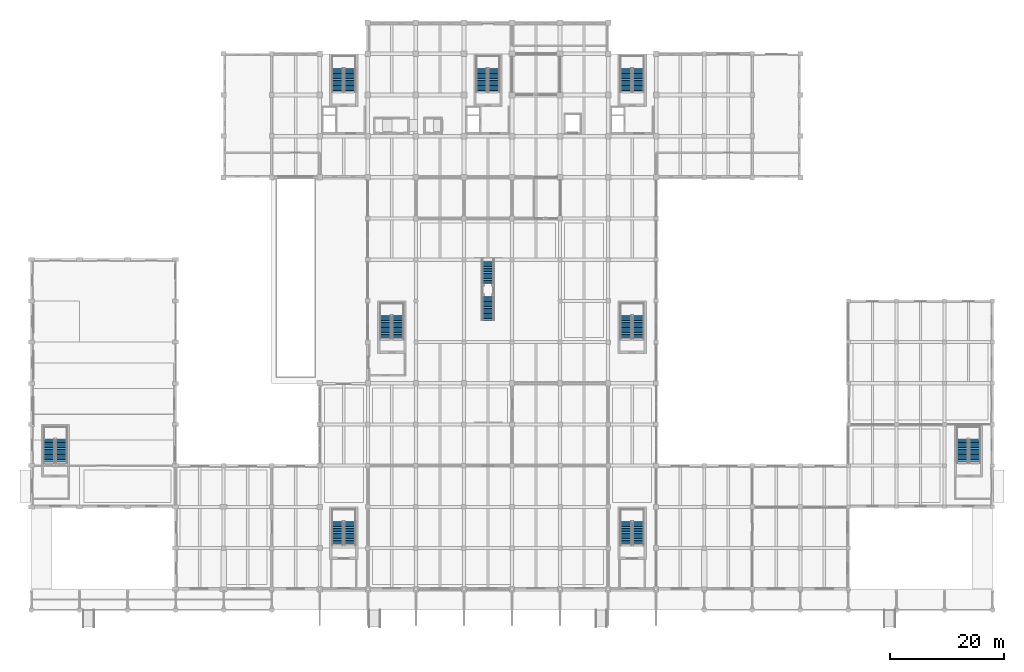
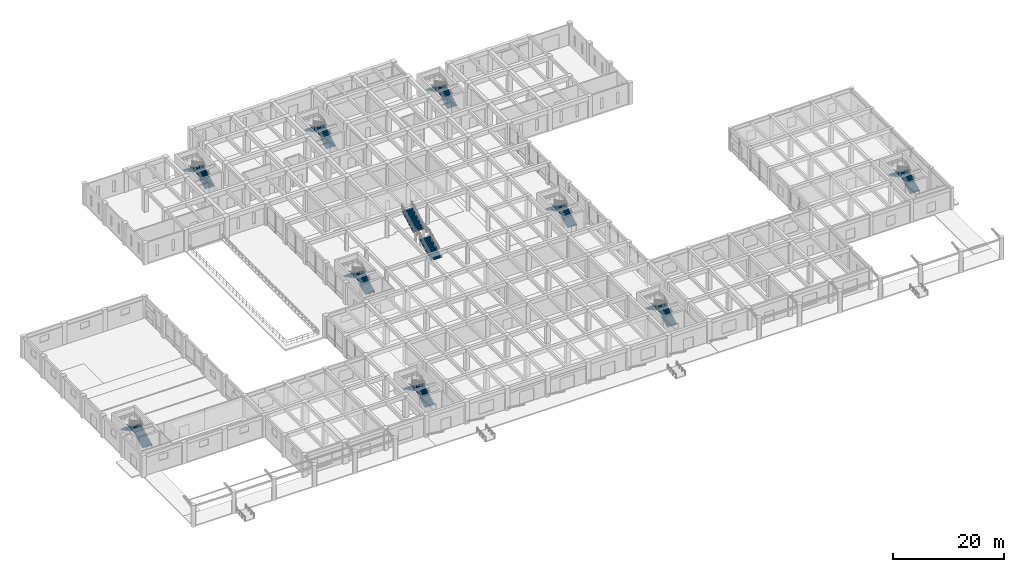
# One storey, part 36 of 49: 20 stair flights, 10 elements without a shape of their own.
"""IFC4 building model written with IfcOpenShell, lengths in metres."""

from ifc_helpers import new_model, si_unit, direction, frame, origin, place, context, subcontext, project, spatial, polyline, outline, extrude, material, type_object, element, aggregate, save


model = new_model("IFC4")

# Units and contexts
model_context = context("Model", 3, precision=1e-05, world=origin(), true_north=direction((0.0, 1.0)))
body_context = subcontext(model_context, "Body", "Model", "MODEL_VIEW")
ifc_project = project(units=[si_unit("LENGTHUNIT", "METRE"), si_unit("AREAUNIT", "SQUARE_METRE"), si_unit("VOLUMEUNIT", "CUBIC_METRE"), si_unit("PLANEANGLEUNIT", "RADIAN"), si_unit("MASSUNIT", "GRAM", prefix="KILO")], contexts=[model_context])

# Site, building, storey
site_placement = place(None, origin())
site = spatial("IfcSite", under=ifc_project, at=site_placement, CompositionType="ELEMENT")
building_placement = place(site_placement, origin())
building = spatial("IfcBuilding", under=site, at=building_placement, Name="Kenerak Square Central Library", CompositionType="ELEMENT")
storey_placement = place(building_placement, origin())
storey = spatial("IfcBuildingStorey", under=building, at=storey_placement, Name="L00", CompositionType="ELEMENT", Elevation=0.0)

# Stair, stair flights
ifc_material_1 = material(Name="Concrete C40/50", Category="concrete")
stair_type_1 = type_object("IfcStairType", Name="Exit Dogleg Stair ST-480 C40/50", PredefinedType="HALF_TURN_STAIR", material=ifc_material_1)
stair_1_placement = place(storey_placement, origin())
stair_1 = element("IfcStair", 1, at=stair_1_placement, inside=storey, type_object=stair_type_1, Name="L00 Protected Exit Stair ST-01", PredefinedType="HALF_TURN_STAIR")
stair_flight_type_1 = type_object("IfcStairFlightType", Name="Exit Stair Flight FL-15 C40/50", PredefinedType="STRAIGHT", material=ifc_material_1)
stair_flight_1_placement = place(storey_placement, frame((63.68994140625, 103.64990234375, 0.0), z_axis=(0.0, 0.0, 1.0), x_axis=(0.0, 1.0, 0.0)))
stair_flight_1 = element("IfcStairFlight", 2, at=stair_flight_1_placement, type_object=stair_flight_type_1, Name="ST-01 Flight 1", NumberOfRisers=15, NumberOfTreads=14, PredefinedType="STRAIGHT", RiserHeight=0.16, TreadLength=0.3, context=body_context, shape_type="SweptSolid", body=[
    extrude(outline(polyline([(0.0, 0.0), (0.0, 0.159912109375), (0.300048828125, 0.159912109375), (0.300048828125, 0.320068359375), (0.60009765625, 0.320068359375), (0.60009765625, 0.47998046875), (0.89990234375, 0.47998046875), (0.89990234375, 0.639892578125), (1.199951171875, 0.639892578125), (1.199951171875, 0.800048828125), (1.5, 0.800048828125), (1.5, 0.9599609375), (1.800048828125, 0.9599609375), (1.800048828125, 1.1201171875), (2.10009765625, 1.1201171875), (2.10009765625, 1.280029296875), (2.39990234375, 1.280029296875), (2.39990234375, 1.43994140625), (2.699951171875, 1.43994140625), (2.699951171875, 1.60009765625), (3.0, 1.60009765625), (3.0, 1.760009765625), (3.300048828125, 1.760009765625), (3.300048828125, 1.919921875), (3.60009765625, 1.919921875), (3.60009765625, 2.080078125), (3.89990234375, 2.080078125), (3.89990234375, 2.239990234375), (4.199951171875, 2.239990234375), (4.199951171875, 2.39990234375), (4.199951171875, 2.0361328125), (0.38232421875, 0.0), (0.0, 0.0)])), frame((0.0, 0.989990234375, 0.0), z_axis=(0.0, -1.0, 0.0), x_axis=(1.0, 0.0, 0.0)), (0.0, 0.0, 1.0), 1.97998046875),
])
stair_flight_2_placement = place(storey_placement, frame((61.510009765625, 107.85009765625, 2.39990234375), z_axis=(0.0, 0.0, 1.0), x_axis=(0.0, -1.0, 0.0)))
stair_flight_2 = element("IfcStairFlight", 3, at=stair_flight_2_placement, type_object=stair_flight_type_1, Name="ST-01 Flight 2", NumberOfRisers=15, NumberOfTreads=14, PredefinedType="STRAIGHT", RiserHeight=0.16, TreadLength=0.3, context=body_context, shape_type="SweptSolid", body=[
    extrude(outline(polyline([(0.0, 0.0), (0.0, 0.159912109375), (0.300048828125, 0.159912109375), (0.300048828125, 0.320068359375), (0.60009765625, 0.320068359375), (0.60009765625, 0.47998046875), (0.89990234375, 0.47998046875), (0.89990234375, 0.639892578125), (1.199951171875, 0.639892578125), (1.199951171875, 0.800048828125), (1.5, 0.800048828125), (1.5, 0.9599609375), (1.800048828125, 0.9599609375), (1.800048828125, 1.1201171875), (2.10009765625, 1.1201171875), (2.10009765625, 1.280029296875), (2.39990234375, 1.280029296875), (2.39990234375, 1.43994140625), (2.699951171875, 1.43994140625), (2.699951171875, 1.60009765625), (3.0, 1.60009765625), (3.0, 1.760009765625), (3.300048828125, 1.760009765625), (3.300048828125, 1.919921875), (3.60009765625, 1.919921875), (3.60009765625, 2.080078125), (3.89990234375, 2.080078125), (3.89990234375, 2.239990234375), (4.199951171875, 2.239990234375), (4.199951171875, 2.39990234375), (4.199951171875, 2.0361328125), (0.38232421875, 0.0), (0.0, 0.0)])), frame((0.0, 0.989990234375, 0.0), z_axis=(0.0, -1.0, 0.0), x_axis=(1.0, 0.0, 0.0)), (0.0, 0.0, 1.0), 1.97998046875),
])
aggregate(stair_1, [stair_flight_1, stair_flight_2])

stair_2_placement = place(storey_placement, origin())
stair_2 = element("IfcStair", 4, at=stair_2_placement, inside=storey, type_object=stair_type_1, Name="L00 Protected Exit Stair ST-02", PredefinedType="HALF_TURN_STAIR")
stair_flight_3_placement = place(storey_placement, frame((88.889892578125, 103.64990234375, 0.0), z_axis=(0.0, 0.0, 1.0), x_axis=(0.0, 1.0, 0.0)))
stair_flight_3 = element("IfcStairFlight", 5, at=stair_flight_3_placement, type_object=stair_flight_type_1, Name="ST-02 Flight 1", NumberOfRisers=15, NumberOfTreads=14, PredefinedType="STRAIGHT", RiserHeight=0.16, TreadLength=0.3, context=body_context, shape_type="SweptSolid", body=[
    extrude(outline(polyline([(0.0, 0.0), (0.0, 0.159912109375), (0.300048828125, 0.159912109375), (0.300048828125, 0.320068359375), (0.60009765625, 0.320068359375), (0.60009765625, 0.47998046875), (0.89990234375, 0.47998046875), (0.89990234375, 0.639892578125), (1.199951171875, 0.639892578125), (1.199951171875, 0.800048828125), (1.5, 0.800048828125), (1.5, 0.9599609375), (1.800048828125, 0.9599609375), (1.800048828125, 1.1201171875), (2.10009765625, 1.1201171875), (2.10009765625, 1.280029296875), (2.39990234375, 1.280029296875), (2.39990234375, 1.43994140625), (2.699951171875, 1.43994140625), (2.699951171875, 1.60009765625), (3.0, 1.60009765625), (3.0, 1.760009765625), (3.300048828125, 1.760009765625), (3.300048828125, 1.919921875), (3.60009765625, 1.919921875), (3.60009765625, 2.080078125), (3.89990234375, 2.080078125), (3.89990234375, 2.239990234375), (4.199951171875, 2.239990234375), (4.199951171875, 2.39990234375), (4.199951171875, 2.0361328125), (0.38232421875, 0.0), (0.0, 0.0)])), frame((0.0, 0.989990234375, 0.0), z_axis=(0.0, -1.0, 0.0), x_axis=(1.0, 0.0, 0.0)), (0.0, 0.0, 1.0), 1.97998046875),
])
stair_flight_4_placement = place(storey_placement, frame((86.7099609375, 107.85009765625, 2.39990234375), z_axis=(0.0, 0.0, 1.0), x_axis=(0.0, -1.0, 0.0)))
stair_flight_4 = element("IfcStairFlight", 6, at=stair_flight_4_placement, type_object=stair_flight_type_1, Name="ST-02 Flight 2", NumberOfRisers=15, NumberOfTreads=14, PredefinedType="STRAIGHT", RiserHeight=0.16, TreadLength=0.3, context=body_context, shape_type="SweptSolid", body=[
    extrude(outline(polyline([(0.0, 0.0), (0.0, 0.159912109375), (0.300048828125, 0.159912109375), (0.300048828125, 0.320068359375), (0.60009765625, 0.320068359375), (0.60009765625, 0.47998046875), (0.89990234375, 0.47998046875), (0.89990234375, 0.639892578125), (1.199951171875, 0.639892578125), (1.199951171875, 0.800048828125), (1.5, 0.800048828125), (1.5, 0.9599609375), (1.800048828125, 0.9599609375), (1.800048828125, 1.1201171875), (2.10009765625, 1.1201171875), (2.10009765625, 1.280029296875), (2.39990234375, 1.280029296875), (2.39990234375, 1.43994140625), (2.699951171875, 1.43994140625), (2.699951171875, 1.60009765625), (3.0, 1.60009765625), (3.0, 1.760009765625), (3.300048828125, 1.760009765625), (3.300048828125, 1.919921875), (3.60009765625, 1.919921875), (3.60009765625, 2.080078125), (3.89990234375, 2.080078125), (3.89990234375, 2.239990234375), (4.199951171875, 2.239990234375), (4.199951171875, 2.39990234375), (4.199951171875, 2.0361328125), (0.38232421875, 0.0), (0.0, 0.0)])), frame((0.0, 0.989990234375, 0.0), z_axis=(0.0, -1.0, 0.0), x_axis=(1.0, 0.0, 0.0)), (0.0, 0.0, 1.0), 1.97998046875),
])
aggregate(stair_2, [stair_flight_3, stair_flight_4])

stair_3_placement = place(storey_placement, origin())
stair_3 = element("IfcStair", 7, at=stair_3_placement, inside=storey, type_object=stair_type_1, Name="L00 Protected Exit Stair ST-03", PredefinedType="HALF_TURN_STAIR")
stair_flight_5_placement = place(storey_placement, frame((114.090087890625, 103.64990234375, 0.0), z_axis=(0.0, 0.0, 1.0), x_axis=(0.0, 1.0, 0.0)))
stair_flight_5 = element("IfcStairFlight", 8, at=stair_flight_5_placement, type_object=stair_flight_type_1, Name="ST-03 Flight 1", NumberOfRisers=15, NumberOfTreads=14, PredefinedType="STRAIGHT", RiserHeight=0.16, TreadLength=0.3, context=body_context, shape_type="SweptSolid", body=[
    extrude(outline(polyline([(0.0, 0.0), (0.0, 0.159912109375), (0.300048828125, 0.159912109375), (0.300048828125, 0.320068359375), (0.60009765625, 0.320068359375), (0.60009765625, 0.47998046875), (0.89990234375, 0.47998046875), (0.89990234375, 0.639892578125), (1.199951171875, 0.639892578125), (1.199951171875, 0.800048828125), (1.5, 0.800048828125), (1.5, 0.9599609375), (1.800048828125, 0.9599609375), (1.800048828125, 1.1201171875), (2.10009765625, 1.1201171875), (2.10009765625, 1.280029296875), (2.39990234375, 1.280029296875), (2.39990234375, 1.43994140625), (2.699951171875, 1.43994140625), (2.699951171875, 1.60009765625), (3.0, 1.60009765625), (3.0, 1.760009765625), (3.300048828125, 1.760009765625), (3.300048828125, 1.919921875), (3.60009765625, 1.919921875), (3.60009765625, 2.080078125), (3.89990234375, 2.080078125), (3.89990234375, 2.239990234375), (4.199951171875, 2.239990234375), (4.199951171875, 2.39990234375), (4.199951171875, 2.0361328125), (0.38232421875, 0.0), (0.0, 0.0)])), frame((0.0, 0.989990234375, 0.0), z_axis=(0.0, -1.0, 0.0), x_axis=(1.0, 0.0, 0.0)), (0.0, 0.0, 1.0), 1.97998046875),
])
stair_flight_6_placement = place(storey_placement, frame((111.909912109375, 107.85009765625, 2.39990234375), z_axis=(0.0, 0.0, 1.0), x_axis=(0.0, -1.0, 0.0)))
stair_flight_6 = element("IfcStairFlight", 9, at=stair_flight_6_placement, type_object=stair_flight_type_1, Name="ST-03 Flight 2", NumberOfRisers=15, NumberOfTreads=14, PredefinedType="STRAIGHT", RiserHeight=0.16, TreadLength=0.3, context=body_context, shape_type="SweptSolid", body=[
    extrude(outline(polyline([(0.0, 0.0), (0.0, 0.159912109375), (0.300048828125, 0.159912109375), (0.300048828125, 0.320068359375), (0.60009765625, 0.320068359375), (0.60009765625, 0.47998046875), (0.89990234375, 0.47998046875), (0.89990234375, 0.639892578125), (1.199951171875, 0.639892578125), (1.199951171875, 0.800048828125), (1.5, 0.800048828125), (1.5, 0.9599609375), (1.800048828125, 0.9599609375), (1.800048828125, 1.1201171875), (2.10009765625, 1.1201171875), (2.10009765625, 1.280029296875), (2.39990234375, 1.280029296875), (2.39990234375, 1.43994140625), (2.699951171875, 1.43994140625), (2.699951171875, 1.60009765625), (3.0, 1.60009765625), (3.0, 1.760009765625), (3.300048828125, 1.760009765625), (3.300048828125, 1.919921875), (3.60009765625, 1.919921875), (3.60009765625, 2.080078125), (3.89990234375, 2.080078125), (3.89990234375, 2.239990234375), (4.199951171875, 2.239990234375), (4.199951171875, 2.39990234375), (4.199951171875, 2.0361328125), (0.38232421875, 0.0), (0.0, 0.0)])), frame((0.0, 0.989990234375, 0.0), z_axis=(0.0, -1.0, 0.0), x_axis=(1.0, 0.0, 0.0)), (0.0, 0.0, 1.0), 1.97998046875),
])
aggregate(stair_3, [stair_flight_5, stair_flight_6])

stair_4_placement = place(storey_placement, origin())
stair_4 = element("IfcStair", 10, at=stair_4_placement, inside=storey, type_object=stair_type_1, Name="L00 Protected Exit Stair ST-04", PredefinedType="HALF_TURN_STAIR")
stair_flight_7_placement = place(storey_placement, frame((63.68994140625, 24.449951171875, 0.0), z_axis=(0.0, 0.0, 1.0), x_axis=(0.0, 1.0, 0.0)))
stair_flight_7 = element("IfcStairFlight", 11, at=stair_flight_7_placement, type_object=stair_flight_type_1, Name="ST-04 Flight 1", NumberOfRisers=15, NumberOfTreads=14, PredefinedType="STRAIGHT", RiserHeight=0.16, TreadLength=0.3, context=body_context, shape_type="SweptSolid", body=[
    extrude(outline(polyline([(0.0, 0.0), (0.0, 0.159912109375), (0.300048828125, 0.159912109375), (0.300048828125, 0.320068359375), (0.60009765625, 0.320068359375), (0.60009765625, 0.47998046875), (0.89990234375, 0.47998046875), (0.89990234375, 0.639892578125), (1.199951171875, 0.639892578125), (1.199951171875, 0.800048828125), (1.5, 0.800048828125), (1.5, 0.9599609375), (1.800048828125, 0.9599609375), (1.800048828125, 1.1201171875), (2.10009765625, 1.1201171875), (2.10009765625, 1.280029296875), (2.39990234375, 1.280029296875), (2.39990234375, 1.43994140625), (2.699951171875, 1.43994140625), (2.699951171875, 1.60009765625), (3.0, 1.60009765625), (3.0, 1.760009765625), (3.300048828125, 1.760009765625), (3.300048828125, 1.919921875), (3.60009765625, 1.919921875), (3.60009765625, 2.080078125), (3.89990234375, 2.080078125), (3.89990234375, 2.239990234375), (4.199951171875, 2.239990234375), (4.199951171875, 2.39990234375), (4.199951171875, 2.0361328125), (0.38232421875, 0.0), (0.0, 0.0)])), frame((0.0, 0.989990234375, 0.0), z_axis=(0.0, -1.0, 0.0), x_axis=(1.0, 0.0, 0.0)), (0.0, 0.0, 1.0), 1.97998046875),
])
stair_flight_8_placement = place(storey_placement, frame((61.510009765625, 28.64990234375, 2.39990234375), z_axis=(0.0, 0.0, 1.0), x_axis=(0.0, -1.0, 0.0)))
stair_flight_8 = element("IfcStairFlight", 12, at=stair_flight_8_placement, type_object=stair_flight_type_1, Name="ST-04 Flight 2", NumberOfRisers=15, NumberOfTreads=14, PredefinedType="STRAIGHT", RiserHeight=0.16, TreadLength=0.3, context=body_context, shape_type="SweptSolid", body=[
    extrude(outline(polyline([(0.0, 0.0), (0.0, 0.159912109375), (0.300048828125, 0.159912109375), (0.300048828125, 0.320068359375), (0.60009765625, 0.320068359375), (0.60009765625, 0.47998046875), (0.89990234375, 0.47998046875), (0.89990234375, 0.639892578125), (1.199951171875, 0.639892578125), (1.199951171875, 0.800048828125), (1.5, 0.800048828125), (1.5, 0.9599609375), (1.800048828125, 0.9599609375), (1.800048828125, 1.1201171875), (2.10009765625, 1.1201171875), (2.10009765625, 1.280029296875), (2.39990234375, 1.280029296875), (2.39990234375, 1.43994140625), (2.699951171875, 1.43994140625), (2.699951171875, 1.60009765625), (3.0, 1.60009765625), (3.0, 1.760009765625), (3.300048828125, 1.760009765625), (3.300048828125, 1.919921875), (3.60009765625, 1.919921875), (3.60009765625, 2.080078125), (3.89990234375, 2.080078125), (3.89990234375, 2.239990234375), (4.199951171875, 2.239990234375), (4.199951171875, 2.39990234375), (4.199951171875, 2.0361328125), (0.38232421875, 0.0), (0.0, 0.0)])), frame((0.0, 0.989990234375, 0.0), z_axis=(0.0, -1.0, 0.0), x_axis=(1.0, 0.0, 0.0)), (0.0, 0.0, 1.0), 1.97998046875),
])
aggregate(stair_4, [stair_flight_7, stair_flight_8])

stair_5_placement = place(storey_placement, origin())
stair_5 = element("IfcStair", 13, at=stair_5_placement, inside=storey, type_object=stair_type_1, Name="L00 Protected Exit Stair ST-05", PredefinedType="HALF_TURN_STAIR")
stair_flight_9_placement = place(storey_placement, frame((114.090087890625, 24.449951171875, 0.0), z_axis=(0.0, 0.0, 1.0), x_axis=(0.0, 1.0, 0.0)))
stair_flight_9 = element("IfcStairFlight", 14, at=stair_flight_9_placement, type_object=stair_flight_type_1, Name="ST-05 Flight 1", NumberOfRisers=15, NumberOfTreads=14, PredefinedType="STRAIGHT", RiserHeight=0.16, TreadLength=0.3, context=body_context, shape_type="SweptSolid", body=[
    extrude(outline(polyline([(0.0, 0.0), (0.0, 0.159912109375), (0.300048828125, 0.159912109375), (0.300048828125, 0.320068359375), (0.60009765625, 0.320068359375), (0.60009765625, 0.47998046875), (0.89990234375, 0.47998046875), (0.89990234375, 0.639892578125), (1.199951171875, 0.639892578125), (1.199951171875, 0.800048828125), (1.5, 0.800048828125), (1.5, 0.9599609375), (1.800048828125, 0.9599609375), (1.800048828125, 1.1201171875), (2.10009765625, 1.1201171875), (2.10009765625, 1.280029296875), (2.39990234375, 1.280029296875), (2.39990234375, 1.43994140625), (2.699951171875, 1.43994140625), (2.699951171875, 1.60009765625), (3.0, 1.60009765625), (3.0, 1.760009765625), (3.300048828125, 1.760009765625), (3.300048828125, 1.919921875), (3.60009765625, 1.919921875), (3.60009765625, 2.080078125), (3.89990234375, 2.080078125), (3.89990234375, 2.239990234375), (4.199951171875, 2.239990234375), (4.199951171875, 2.39990234375), (4.199951171875, 2.0361328125), (0.38232421875, 0.0), (0.0, 0.0)])), frame((0.0, 0.989990234375, 0.0), z_axis=(0.0, -1.0, 0.0), x_axis=(1.0, 0.0, 0.0)), (0.0, 0.0, 1.0), 1.97998046875),
])
stair_flight_10_placement = place(storey_placement, frame((111.909912109375, 28.64990234375, 2.39990234375), z_axis=(0.0, 0.0, 1.0), x_axis=(0.0, -1.0, 0.0)))
stair_flight_10 = element("IfcStairFlight", 15, at=stair_flight_10_placement, type_object=stair_flight_type_1, Name="ST-05 Flight 2", NumberOfRisers=15, NumberOfTreads=14, PredefinedType="STRAIGHT", RiserHeight=0.16, TreadLength=0.3, context=body_context, shape_type="SweptSolid", body=[
    extrude(outline(polyline([(0.0, 0.0), (0.0, 0.159912109375), (0.300048828125, 0.159912109375), (0.300048828125, 0.320068359375), (0.60009765625, 0.320068359375), (0.60009765625, 0.47998046875), (0.89990234375, 0.47998046875), (0.89990234375, 0.639892578125), (1.199951171875, 0.639892578125), (1.199951171875, 0.800048828125), (1.5, 0.800048828125), (1.5, 0.9599609375), (1.800048828125, 0.9599609375), (1.800048828125, 1.1201171875), (2.10009765625, 1.1201171875), (2.10009765625, 1.280029296875), (2.39990234375, 1.280029296875), (2.39990234375, 1.43994140625), (2.699951171875, 1.43994140625), (2.699951171875, 1.60009765625), (3.0, 1.60009765625), (3.0, 1.760009765625), (3.300048828125, 1.760009765625), (3.300048828125, 1.919921875), (3.60009765625, 1.919921875), (3.60009765625, 2.080078125), (3.89990234375, 2.080078125), (3.89990234375, 2.239990234375), (4.199951171875, 2.239990234375), (4.199951171875, 2.39990234375), (4.199951171875, 2.0361328125), (0.38232421875, 0.0), (0.0, 0.0)])), frame((0.0, 0.989990234375, 0.0), z_axis=(0.0, -1.0, 0.0), x_axis=(1.0, 0.0, 0.0)), (0.0, 0.0, 1.0), 1.97998046875),
])
aggregate(stair_5, [stair_flight_9, stair_flight_10])

stair_6_placement = place(storey_placement, origin())
stair_6 = element("IfcStair", 16, at=stair_6_placement, inside=storey, type_object=stair_type_1, Name="L00 Protected Exit Stair ST-06", PredefinedType="HALF_TURN_STAIR")
stair_flight_11_placement = place(storey_placement, frame((13.2900390625, 38.85009765625, 0.0), z_axis=(0.0, 0.0, 1.0), x_axis=(0.0, 1.0, 0.0)))
stair_flight_11 = element("IfcStairFlight", 17, at=stair_flight_11_placement, type_object=stair_flight_type_1, Name="ST-06 Flight 1", NumberOfRisers=15, NumberOfTreads=14, PredefinedType="STRAIGHT", RiserHeight=0.16, TreadLength=0.3, context=body_context, shape_type="SweptSolid", body=[
    extrude(outline(polyline([(0.0, 0.0), (0.0, 0.159912109375), (0.300048828125, 0.159912109375), (0.300048828125, 0.320068359375), (0.60009765625, 0.320068359375), (0.60009765625, 0.47998046875), (0.89990234375, 0.47998046875), (0.89990234375, 0.639892578125), (1.199951171875, 0.639892578125), (1.199951171875, 0.800048828125), (1.5, 0.800048828125), (1.5, 0.9599609375), (1.800048828125, 0.9599609375), (1.800048828125, 1.1201171875), (2.10009765625, 1.1201171875), (2.10009765625, 1.280029296875), (2.39990234375, 1.280029296875), (2.39990234375, 1.43994140625), (2.699951171875, 1.43994140625), (2.699951171875, 1.60009765625), (3.0, 1.60009765625), (3.0, 1.760009765625), (3.300048828125, 1.760009765625), (3.300048828125, 1.919921875), (3.60009765625, 1.919921875), (3.60009765625, 2.080078125), (3.89990234375, 2.080078125), (3.89990234375, 2.239990234375), (4.199951171875, 2.239990234375), (4.199951171875, 2.39990234375), (4.199951171875, 2.0361328125), (0.38232421875, 0.0), (0.0, 0.0)])), frame((0.0, 0.989990234375, 0.0), z_axis=(0.0, -1.0, 0.0), x_axis=(1.0, 0.0, 0.0)), (0.0, 0.0, 1.0), 1.97998046875),
])
stair_flight_12_placement = place(storey_placement, frame((11.110107421875, 43.050048828125, 2.39990234375), z_axis=(0.0, 0.0, 1.0), x_axis=(0.0, -1.0, 0.0)))
stair_flight_12 = element("IfcStairFlight", 18, at=stair_flight_12_placement, type_object=stair_flight_type_1, Name="ST-06 Flight 2", NumberOfRisers=15, NumberOfTreads=14, PredefinedType="STRAIGHT", RiserHeight=0.16, TreadLength=0.3, context=body_context, shape_type="SweptSolid", body=[
    extrude(outline(polyline([(0.0, 0.0), (0.0, 0.159912109375), (0.300048828125, 0.159912109375), (0.300048828125, 0.320068359375), (0.60009765625, 0.320068359375), (0.60009765625, 0.47998046875), (0.89990234375, 0.47998046875), (0.89990234375, 0.639892578125), (1.199951171875, 0.639892578125), (1.199951171875, 0.800048828125), (1.5, 0.800048828125), (1.5, 0.9599609375), (1.800048828125, 0.9599609375), (1.800048828125, 1.1201171875), (2.10009765625, 1.1201171875), (2.10009765625, 1.280029296875), (2.39990234375, 1.280029296875), (2.39990234375, 1.43994140625), (2.699951171875, 1.43994140625), (2.699951171875, 1.60009765625), (3.0, 1.60009765625), (3.0, 1.760009765625), (3.300048828125, 1.760009765625), (3.300048828125, 1.919921875), (3.60009765625, 1.919921875), (3.60009765625, 2.080078125), (3.89990234375, 2.080078125), (3.89990234375, 2.239990234375), (4.199951171875, 2.239990234375), (4.199951171875, 2.39990234375), (4.199951171875, 2.0361328125), (0.38232421875, 0.0), (0.0, 0.0)])), frame((0.0, 0.989990234375, 0.0), z_axis=(0.0, -1.0, 0.0), x_axis=(1.0, 0.0, 0.0)), (0.0, 0.0, 1.0), 1.97998046875),
])
aggregate(stair_6, [stair_flight_11, stair_flight_12])

stair_7_placement = place(storey_placement, origin())
stair_7 = element("IfcStair", 19, at=stair_7_placement, inside=storey, type_object=stair_type_1, Name="L00 Protected Exit Stair ST-07", PredefinedType="HALF_TURN_STAIR")
stair_flight_13_placement = place(storey_placement, frame((172.889892578125, 38.85009765625, 0.0), z_axis=(0.0, 0.0, 1.0), x_axis=(0.0, 1.0, 0.0)))
stair_flight_13 = element("IfcStairFlight", 20, at=stair_flight_13_placement, type_object=stair_flight_type_1, Name="ST-07 Flight 1", NumberOfRisers=15, NumberOfTreads=14, PredefinedType="STRAIGHT", RiserHeight=0.16, TreadLength=0.3, context=body_context, shape_type="SweptSolid", body=[
    extrude(outline(polyline([(0.0, 0.0), (0.0, 0.159912109375), (0.300048828125, 0.159912109375), (0.300048828125, 0.320068359375), (0.60009765625, 0.320068359375), (0.60009765625, 0.47998046875), (0.89990234375, 0.47998046875), (0.89990234375, 0.639892578125), (1.199951171875, 0.639892578125), (1.199951171875, 0.800048828125), (1.5, 0.800048828125), (1.5, 0.9599609375), (1.800048828125, 0.9599609375), (1.800048828125, 1.1201171875), (2.10009765625, 1.1201171875), (2.10009765625, 1.280029296875), (2.39990234375, 1.280029296875), (2.39990234375, 1.43994140625), (2.699951171875, 1.43994140625), (2.699951171875, 1.60009765625), (3.0, 1.60009765625), (3.0, 1.760009765625), (3.300048828125, 1.760009765625), (3.300048828125, 1.919921875), (3.60009765625, 1.919921875), (3.60009765625, 2.080078125), (3.89990234375, 2.080078125), (3.89990234375, 2.239990234375), (4.199951171875, 2.239990234375), (4.199951171875, 2.39990234375), (4.199951171875, 2.0361328125), (0.38232421875, 0.0), (0.0, 0.0)])), frame((0.0, 0.989990234375, 0.0), z_axis=(0.0, -1.0, 0.0), x_axis=(1.0, 0.0, 0.0)), (0.0, 0.0, 1.0), 1.97998046875),
])
stair_flight_14_placement = place(storey_placement, frame((170.7099609375, 43.050048828125, 2.39990234375), z_axis=(0.0, 0.0, 1.0), x_axis=(0.0, -1.0, 0.0)))
stair_flight_14 = element("IfcStairFlight", 21, at=stair_flight_14_placement, type_object=stair_flight_type_1, Name="ST-07 Flight 2", NumberOfRisers=15, NumberOfTreads=14, PredefinedType="STRAIGHT", RiserHeight=0.16, TreadLength=0.3, context=body_context, shape_type="SweptSolid", body=[
    extrude(outline(polyline([(0.0, 0.0), (0.0, 0.159912109375), (0.300048828125, 0.159912109375), (0.300048828125, 0.320068359375), (0.60009765625, 0.320068359375), (0.60009765625, 0.47998046875), (0.89990234375, 0.47998046875), (0.89990234375, 0.639892578125), (1.199951171875, 0.639892578125), (1.199951171875, 0.800048828125), (1.5, 0.800048828125), (1.5, 0.9599609375), (1.800048828125, 0.9599609375), (1.800048828125, 1.1201171875), (2.10009765625, 1.1201171875), (2.10009765625, 1.280029296875), (2.39990234375, 1.280029296875), (2.39990234375, 1.43994140625), (2.699951171875, 1.43994140625), (2.699951171875, 1.60009765625), (3.0, 1.60009765625), (3.0, 1.760009765625), (3.300048828125, 1.760009765625), (3.300048828125, 1.919921875), (3.60009765625, 1.919921875), (3.60009765625, 2.080078125), (3.89990234375, 2.080078125), (3.89990234375, 2.239990234375), (4.199951171875, 2.239990234375), (4.199951171875, 2.39990234375), (4.199951171875, 2.0361328125), (0.38232421875, 0.0), (0.0, 0.0)])), frame((0.0, 0.989990234375, 0.0), z_axis=(0.0, -1.0, 0.0), x_axis=(1.0, 0.0, 0.0)), (0.0, 0.0, 1.0), 1.97998046875),
])
aggregate(stair_7, [stair_flight_13, stair_flight_14])

stair_8_placement = place(storey_placement, origin())
stair_8 = element("IfcStair", 22, at=stair_8_placement, inside=storey, type_object=stair_type_1, Name="L00 Protected Exit Stair ST-08", PredefinedType="HALF_TURN_STAIR")
stair_flight_15_placement = place(storey_placement, frame((72.090087890625, 60.449951171875, 0.0), z_axis=(0.0, 0.0, 1.0), x_axis=(0.0, 1.0, 0.0)))
stair_flight_15 = element("IfcStairFlight", 23, at=stair_flight_15_placement, type_object=stair_flight_type_1, Name="ST-08 Flight 1", NumberOfRisers=15, NumberOfTreads=14, PredefinedType="STRAIGHT", RiserHeight=0.16, TreadLength=0.3, context=body_context, shape_type="SweptSolid", body=[
    extrude(outline(polyline([(0.0, 0.0), (0.0, 0.159912109375), (0.300048828125, 0.159912109375), (0.300048828125, 0.320068359375), (0.60009765625, 0.320068359375), (0.60009765625, 0.47998046875), (0.89990234375, 0.47998046875), (0.89990234375, 0.639892578125), (1.199951171875, 0.639892578125), (1.199951171875, 0.800048828125), (1.5, 0.800048828125), (1.5, 0.9599609375), (1.800048828125, 0.9599609375), (1.800048828125, 1.1201171875), (2.10009765625, 1.1201171875), (2.10009765625, 1.280029296875), (2.39990234375, 1.280029296875), (2.39990234375, 1.43994140625), (2.699951171875, 1.43994140625), (2.699951171875, 1.60009765625), (3.0, 1.60009765625), (3.0, 1.760009765625), (3.300048828125, 1.760009765625), (3.300048828125, 1.919921875), (3.60009765625, 1.919921875), (3.60009765625, 2.080078125), (3.89990234375, 2.080078125), (3.89990234375, 2.239990234375), (4.199951171875, 2.239990234375), (4.199951171875, 2.39990234375), (4.199951171875, 2.0361328125), (0.38232421875, 0.0), (0.0, 0.0)])), frame((0.0, 0.989990234375, 0.0), z_axis=(0.0, -1.0, 0.0), x_axis=(1.0, 0.0, 0.0)), (0.0, 0.0, 1.0), 1.97998046875),
])
stair_flight_16_placement = place(storey_placement, frame((69.909912109375, 64.64990234375, 2.39990234375), z_axis=(0.0, 0.0, 1.0), x_axis=(0.0, -1.0, 0.0)))
stair_flight_16 = element("IfcStairFlight", 24, at=stair_flight_16_placement, type_object=stair_flight_type_1, Name="ST-08 Flight 2", NumberOfRisers=15, NumberOfTreads=14, PredefinedType="STRAIGHT", RiserHeight=0.16, TreadLength=0.3, context=body_context, shape_type="SweptSolid", body=[
    extrude(outline(polyline([(0.0, 0.0), (0.0, 0.159912109375), (0.300048828125, 0.159912109375), (0.300048828125, 0.320068359375), (0.60009765625, 0.320068359375), (0.60009765625, 0.47998046875), (0.89990234375, 0.47998046875), (0.89990234375, 0.639892578125), (1.199951171875, 0.639892578125), (1.199951171875, 0.800048828125), (1.5, 0.800048828125), (1.5, 0.9599609375), (1.800048828125, 0.9599609375), (1.800048828125, 1.1201171875), (2.10009765625, 1.1201171875), (2.10009765625, 1.280029296875), (2.39990234375, 1.280029296875), (2.39990234375, 1.43994140625), (2.699951171875, 1.43994140625), (2.699951171875, 1.60009765625), (3.0, 1.60009765625), (3.0, 1.760009765625), (3.300048828125, 1.760009765625), (3.300048828125, 1.919921875), (3.60009765625, 1.919921875), (3.60009765625, 2.080078125), (3.89990234375, 2.080078125), (3.89990234375, 2.239990234375), (4.199951171875, 2.239990234375), (4.199951171875, 2.39990234375), (4.199951171875, 2.0361328125), (0.38232421875, 0.0), (0.0, 0.0)])), frame((0.0, 0.989990234375, 0.0), z_axis=(0.0, -1.0, 0.0), x_axis=(1.0, 0.0, 0.0)), (0.0, 0.0, 1.0), 1.97998046875),
])
aggregate(stair_8, [stair_flight_15, stair_flight_16])

stair_9_placement = place(storey_placement, origin())
stair_9 = element("IfcStair", 25, at=stair_9_placement, inside=storey, type_object=stair_type_1, Name="L00 Protected Exit Stair ST-09", PredefinedType="HALF_TURN_STAIR")
stair_flight_17_placement = place(storey_placement, frame((114.090087890625, 60.449951171875, 0.0), z_axis=(0.0, 0.0, 1.0), x_axis=(0.0, 1.0, 0.0)))
stair_flight_17 = element("IfcStairFlight", 26, at=stair_flight_17_placement, type_object=stair_flight_type_1, Name="ST-09 Flight 1", NumberOfRisers=15, NumberOfTreads=14, PredefinedType="STRAIGHT", RiserHeight=0.16, TreadLength=0.3, context=body_context, shape_type="SweptSolid", body=[
    extrude(outline(polyline([(0.0, 0.0), (0.0, 0.159912109375), (0.300048828125, 0.159912109375), (0.300048828125, 0.320068359375), (0.60009765625, 0.320068359375), (0.60009765625, 0.47998046875), (0.89990234375, 0.47998046875), (0.89990234375, 0.639892578125), (1.199951171875, 0.639892578125), (1.199951171875, 0.800048828125), (1.5, 0.800048828125), (1.5, 0.9599609375), (1.800048828125, 0.9599609375), (1.800048828125, 1.1201171875), (2.10009765625, 1.1201171875), (2.10009765625, 1.280029296875), (2.39990234375, 1.280029296875), (2.39990234375, 1.43994140625), (2.699951171875, 1.43994140625), (2.699951171875, 1.60009765625), (3.0, 1.60009765625), (3.0, 1.760009765625), (3.300048828125, 1.760009765625), (3.300048828125, 1.919921875), (3.60009765625, 1.919921875), (3.60009765625, 2.080078125), (3.89990234375, 2.080078125), (3.89990234375, 2.239990234375), (4.199951171875, 2.239990234375), (4.199951171875, 2.39990234375), (4.199951171875, 2.0361328125), (0.38232421875, 0.0), (0.0, 0.0)])), frame((0.0, 0.989990234375, 0.0), z_axis=(0.0, -1.0, 0.0), x_axis=(1.0, 0.0, 0.0)), (0.0, 0.0, 1.0), 1.97998046875),
])
stair_flight_18_placement = place(storey_placement, frame((111.909912109375, 64.64990234375, 2.39990234375), z_axis=(0.0, 0.0, 1.0), x_axis=(0.0, -1.0, 0.0)))
stair_flight_18 = element("IfcStairFlight", 27, at=stair_flight_18_placement, type_object=stair_flight_type_1, Name="ST-09 Flight 2", NumberOfRisers=15, NumberOfTreads=14, PredefinedType="STRAIGHT", RiserHeight=0.16, TreadLength=0.3, context=body_context, shape_type="SweptSolid", body=[
    extrude(outline(polyline([(0.0, 0.0), (0.0, 0.159912109375), (0.300048828125, 0.159912109375), (0.300048828125, 0.320068359375), (0.60009765625, 0.320068359375), (0.60009765625, 0.47998046875), (0.89990234375, 0.47998046875), (0.89990234375, 0.639892578125), (1.199951171875, 0.639892578125), (1.199951171875, 0.800048828125), (1.5, 0.800048828125), (1.5, 0.9599609375), (1.800048828125, 0.9599609375), (1.800048828125, 1.1201171875), (2.10009765625, 1.1201171875), (2.10009765625, 1.280029296875), (2.39990234375, 1.280029296875), (2.39990234375, 1.43994140625), (2.699951171875, 1.43994140625), (2.699951171875, 1.60009765625), (3.0, 1.60009765625), (3.0, 1.760009765625), (3.300048828125, 1.760009765625), (3.300048828125, 1.919921875), (3.60009765625, 1.919921875), (3.60009765625, 2.080078125), (3.89990234375, 2.080078125), (3.89990234375, 2.239990234375), (4.199951171875, 2.239990234375), (4.199951171875, 2.39990234375), (4.199951171875, 2.0361328125), (0.38232421875, 0.0), (0.0, 0.0)])), frame((0.0, 0.989990234375, 0.0), z_axis=(0.0, -1.0, 0.0), x_axis=(1.0, 0.0, 0.0)), (0.0, 0.0, 1.0), 1.97998046875),
])
aggregate(stair_9, [stair_flight_17, stair_flight_18])

ifc_material_2 = material(Name="Steel S355", Category="steel")
stair_type_2 = type_object("IfcStairType", Name="Feature Atrium Stair ST-FEAT S355", PredefinedType="STRAIGHT_RUN_STAIR", material=ifc_material_2)
stair_10_placement = place(storey_placement, origin())
stair_10 = element("IfcStair", 28, at=stair_10_placement, inside=storey, type_object=stair_type_2, Name="Feature Open Stair ST-F1", PredefinedType="STRAIGHT_RUN_STAIR")
stair_flight_type_2 = type_object("IfcStairFlightType", Name="Feature Stair Flight FL-FEAT S355", PredefinedType="STRAIGHT", material=ifc_material_2)
stair_flight_19_placement = place(storey_placement, frame((87.800048828125, 63.800048828125, 0.0), z_axis=(0.0, 0.0, 1.0), x_axis=(0.0, 1.0, 0.0)))
stair_flight_19 = element("IfcStairFlight", 29, at=stair_flight_19_placement, type_object=stair_flight_type_2, Name="ST-F1 Flight 1", NumberOfRisers=15, NumberOfTreads=14, PredefinedType="STRAIGHT", RiserHeight=0.16, TreadLength=0.3, context=body_context, shape_type="SweptSolid", body=[
    extrude(outline(polyline([(0.0, 0.0), (0.0, 0.159912109375), (0.300048828125, 0.159912109375), (0.300048828125, 0.320068359375), (0.60009765625, 0.320068359375), (0.60009765625, 0.47998046875), (0.89990234375, 0.47998046875), (0.89990234375, 0.639892578125), (1.199951171875, 0.639892578125), (1.199951171875, 0.800048828125), (1.5, 0.800048828125), (1.5, 0.9599609375), (1.800048828125, 0.9599609375), (1.800048828125, 1.1201171875), (2.10009765625, 1.1201171875), (2.10009765625, 1.280029296875), (2.39990234375, 1.280029296875), (2.39990234375, 1.43994140625), (2.699951171875, 1.43994140625), (2.699951171875, 1.60009765625), (3.0, 1.60009765625), (3.0, 1.760009765625), (3.300048828125, 1.760009765625), (3.300048828125, 1.919921875), (3.60009765625, 1.919921875), (3.60009765625, 2.080078125), (3.89990234375, 2.080078125), (3.89990234375, 2.239990234375), (4.199951171875, 2.239990234375), (4.199951171875, 2.39990234375), (4.199951171875, 2.013427734375), (0.4248046875, 0.0), (0.0, 0.0)])), frame((0.0, 1.10009765625, 0.0), z_axis=(0.0, -1.0, 0.0), x_axis=(1.0, 0.0, 0.0)), (0.0, 0.0, 1.0), 2.199951171875),
])
stair_flight_20_placement = place(storey_placement, frame((87.800048828125, 70.199951171875, 2.39990234375), z_axis=(0.0, 0.0, 1.0), x_axis=(0.0, 1.0, 0.0)))
stair_flight_20 = element("IfcStairFlight", 30, at=stair_flight_20_placement, type_object=stair_flight_type_2, Name="ST-F1 Flight 2", NumberOfRisers=15, NumberOfTreads=14, PredefinedType="STRAIGHT", RiserHeight=0.16, TreadLength=0.3, context=body_context, shape_type="SweptSolid", body=[
    extrude(outline(polyline([(0.0, 0.0), (0.0, 0.159912109375), (0.300048828125, 0.159912109375), (0.300048828125, 0.320068359375), (0.60009765625, 0.320068359375), (0.60009765625, 0.47998046875), (0.89990234375, 0.47998046875), (0.89990234375, 0.639892578125), (1.199951171875, 0.639892578125), (1.199951171875, 0.800048828125), (1.5, 0.800048828125), (1.5, 0.9599609375), (1.800048828125, 0.9599609375), (1.800048828125, 1.1201171875), (2.10009765625, 1.1201171875), (2.10009765625, 1.280029296875), (2.39990234375, 1.280029296875), (2.39990234375, 1.43994140625), (2.699951171875, 1.43994140625), (2.699951171875, 1.60009765625), (3.0, 1.60009765625), (3.0, 1.760009765625), (3.300048828125, 1.760009765625), (3.300048828125, 1.919921875), (3.60009765625, 1.919921875), (3.60009765625, 2.080078125), (3.89990234375, 2.080078125), (3.89990234375, 2.239990234375), (4.199951171875, 2.239990234375), (4.199951171875, 2.39990234375), (4.199951171875, 2.013427734375), (0.4248046875, 0.0), (0.0, 0.0)])), frame((0.0, 1.10009765625, 0.0), z_axis=(0.0, -1.0, 0.0), x_axis=(1.0, 0.0, 0.0)), (0.0, 0.0, 1.0), 2.199951171875),
])
aggregate(stair_10, [stair_flight_19, stair_flight_20])

save(model, "model.ifc")
